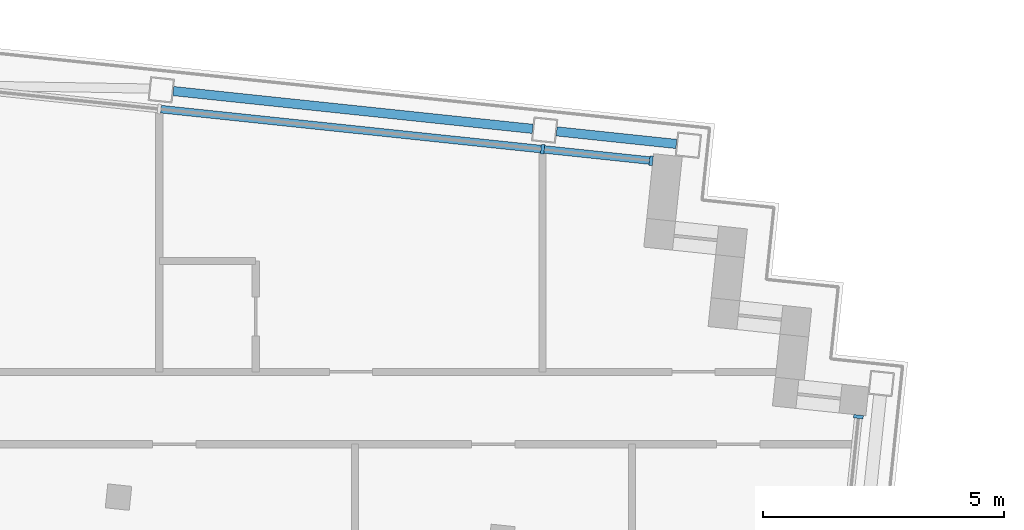
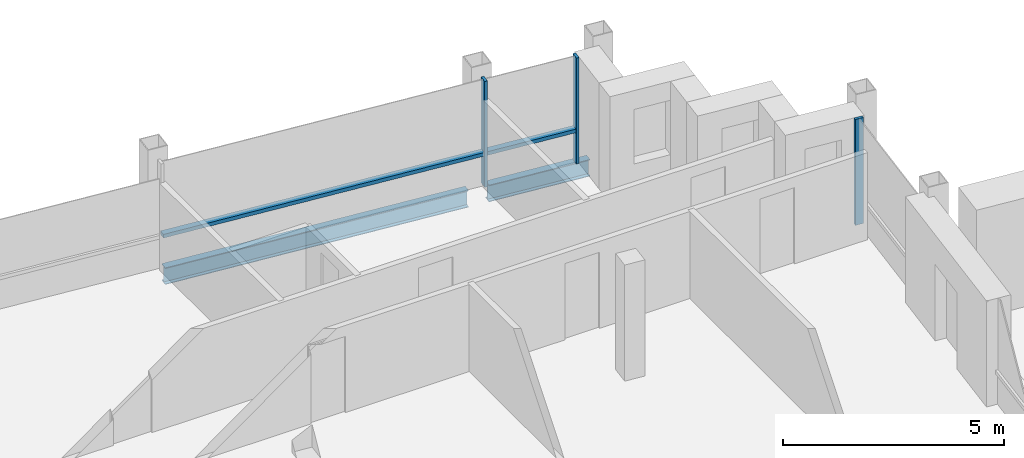
# One storey, part 6 of 17: 5 members, 2 beams, 2 elements without a shape of their own.
"""IFC4 building model written with IfcOpenShell, lengths in metres."""

from ifc_helpers import new_model, si_unit, direction, frame, origin, origin_2d, place, context, subcontext, project, spatial, rectangle, i_section, extrude, material, material_profile, profile_set, type_object, element, aggregate, save


model = new_model("IFC4")

# Units and contexts
model_context = context("Model", 3, precision=1e-05, world=origin(), true_north=direction((0.0, 1.0)))
body_context = subcontext(model_context, "Body", "Model", "MODEL_VIEW")
ifc_project = project(units=[si_unit("LENGTHUNIT", "METRE"), si_unit("AREAUNIT", "SQUARE_METRE"), si_unit("VOLUMEUNIT", "CUBIC_METRE"), si_unit("PLANEANGLEUNIT", "RADIAN"), si_unit("MASSUNIT", "GRAM", prefix="KILO")], contexts=[model_context])

# Site, building, storey
site_placement = place(None, origin())
site = spatial("IfcSite", under=ifc_project, at=site_placement, CompositionType="ELEMENT")
building_placement = place(site_placement, origin())
building = spatial("IfcBuilding", under=site, at=building_placement, Name="Vidyagriha Tower", CompositionType="ELEMENT")
storey_placement = place(building_placement, frame((0.0, 0.0, 265.89990234375)))
storey = spatial("IfcBuildingStorey", under=building, at=storey_placement, Name="L69", CompositionType="ELEMENT", Elevation=265.89990234375)

# Beams
ifc_material_1 = material(Name="Steel ASTM A992 Grade 50", Category="steel")
ifc_material_profile_1 = material_profile(ifc_material_1, i_section(OverallWidth=0.19189453125, OverallDepth=0.46240234375, WebThickness=0.010498046875, FlangeThickness=0.017578125, at=origin_2d()), Name="W18X60")
ifc_profile_set_1 = profile_set([ifc_material_profile_1], Name="Steel ASTM A992 Grade 50")
beam_type = type_object("IfcBeamType", Name="Edge beam W18X60", PredefinedType="SPANDREL", material=ifc_profile_set_1)
beam_1_placement = place(storey_placement, frame((18.130615234375, 19.472412109375, -0.510986328125), z_axis=(0.994519000353, -0.104556003834, 0.0), x_axis=(0.104556003834, 0.994519000353, 0.0)))
element("IfcBeam", 1, at=beam_1_placement, inside=storey, type_object=beam_type, Name="st-beam-L69-NE19", PredefinedType="SPANDREL", context=body_context, shape_type="SweptSolid", body=[
    extrude(i_section(OverallWidth=0.19189453125, OverallDepth=0.46240234375, WebThickness=0.010498046875, FlangeThickness=0.017578125, at=origin_2d()), origin(), (0.0, 0.0, 1.0), 7.5),
])
beam_2_placement = place(storey_placement, frame((26.0869140625, 18.635986328125, -0.510986328125), z_axis=(0.994524701544, -0.104501760842, 0.0), x_axis=(0.104501760842, 0.994524701544, 0.0)))
element("IfcBeam", 2, at=beam_2_placement, inside=storey, type_object=beam_type, Name="st-beam-L69-NE20", PredefinedType="SPANDREL", context=body_context, shape_type="SweptSolid", body=[
    extrude(i_section(OverallWidth=0.19189453125, OverallDepth=0.46240234375, WebThickness=0.010498046875, FlangeThickness=0.017578125, at=origin_2d()), origin(), (0.0, 0.0, 1.0), 2.499755859375),
])

# Curtain wall, members
ifc_material_2 = material(Name="Aluminium and glass curtain wall", Category="aluminium")
curtain_wall_type = type_object("IfcCurtainWallType", Name="Dwelling skin unitised curtain wall", PredefinedType="USERDEFINED", material=ifc_material_2)
curtain_wall_1_placement = place(storey_placement, origin())
curtain_wall_1 = element("IfcCurtainWall", 3, at=curtain_wall_1_placement, inside=storey, type_object=curtain_wall_type, Name="CW1 dwelling skin", ObjectType="UNITISED", PredefinedType="USERDEFINED")
ifc_material_3 = material(Name="Aluminium black anodised", Category="aluminium")
ifc_material_profile_2 = material_profile(ifc_material_3, rectangle(XDim=0.199951171875, YDim=0.070068359375, at=origin_2d()), Name="Mullion 70x200 black aluminium")
ifc_profile_set_2 = profile_set([ifc_material_profile_2], Name="Aluminium black anodised")
member_type_1 = type_object("IfcMemberType", Name="Mullion 70x200 black aluminium", PredefinedType="MULLION", material=ifc_profile_set_2)
member_1_placement = place(storey_placement, frame((28.049072265625, 18.027587890625, 0.0), z_axis=(0.0, 0.0, 1.0), x_axis=(-0.104528852722, -0.994521854435, 0.0)))
member_1 = element("IfcMember", 4, at=member_1_placement, type_object=member_type_1, Name="CW1 mullion 1", PredefinedType="MULLION", context=body_context, shape_type="SweptSolid", body=[
    extrude(rectangle(XDim=0.199951171875, YDim=0.070068359375, at=origin_2d()), origin(), (0.0, 0.0, 1.0), 2.920166015625),
])
member_2_placement = place(storey_placement, frame((25.79638671875, 18.264404296875, 0.0), z_axis=(0.0, 0.0, 1.0), x_axis=(-0.104528852722, -0.994521854435, 0.0)))
member_2 = element("IfcMember", 5, at=member_2_placement, type_object=member_type_1, Name="CW1 mullion 2", PredefinedType="MULLION", context=body_context, shape_type="SweptSolid", body=[
    extrude(rectangle(XDim=0.199951171875, YDim=0.070068359375, at=origin_2d()), origin(), (0.0, 0.0, 1.0), 2.920166015625),
])

# Curtain wall, member
curtain_wall_2_placement = place(storey_placement, origin())
curtain_wall_2 = element("IfcCurtainWall", 6, at=curtain_wall_2_placement, inside=storey, type_object=curtain_wall_type, Name="CW1 dwelling skin", ObjectType="UNITISED", PredefinedType="USERDEFINED")
member_3_placement = place(storey_placement, frame((32.35205078125, 12.713623046875, 0.0), z_axis=(0.0, 0.0, 1.0), x_axis=(-0.994523205451, 0.10451599791, 0.0)))
member_3 = element("IfcMember", 7, at=member_3_placement, type_object=member_type_1, Name="CW1 mullion 2", PredefinedType="MULLION", context=body_context, shape_type="SweptSolid", body=[
    extrude(rectangle(XDim=0.199951171875, YDim=0.070068359375, at=origin_2d()), origin(), (0.0, 0.0, 1.0), 2.920166015625),
])
aggregate(curtain_wall_2, [member_3])

# Member
ifc_material_4 = material(Name="Aluminium black anodised", Category="aluminium")
ifc_material_profile_3 = material_profile(ifc_material_4, rectangle(XDim=0.159912109375, YDim=0.10009765625, at=origin_2d()), Name="Transom 100x160 black aluminium")
ifc_profile_set_3 = profile_set([ifc_material_profile_3], Name="Aluminium black anodised")
member_type_2 = type_object("IfcMemberType", Name="Transom 100x160 black aluminium", PredefinedType="USERDEFINED", material=ifc_profile_set_3)
member_4_placement = place(storey_placement, frame((28.01416015625, 18.03125, 0.900146484375), z_axis=(-0.994518853465, 0.104557400991, 0.0), x_axis=(-0.104557400991, -0.994518853465, 0.0)))
member_4 = element("IfcMember", 8, at=member_4_placement, type_object=member_type_2, Name="CW1 transom 1.1", ObjectType="TRANSOM", PredefinedType="USERDEFINED", context=body_context, shape_type="SweptSolid", body=[
    extrude(rectangle(XDim=0.159912109375, YDim=0.10009765625, at=origin_2d()), origin(), (0.0, 0.0, 1.0), 2.19482421875),
])

member_5_placement = place(storey_placement, frame((25.761474609375, 18.26806640625, 0.900146484375), z_axis=(-0.994522478205, 0.104522917794, 0.0), x_axis=(-0.104522917794, -0.994522478205, 0.0)))
member_5 = element("IfcMember", 9, at=member_5_placement, type_object=member_type_2, Name="CW1 transom 2.1", ObjectType="TRANSOM", PredefinedType="USERDEFINED", context=body_context, shape_type="SweptSolid", body=[
    extrude(rectangle(XDim=0.159912109375, YDim=0.10009765625, at=origin_2d()), origin(), (0.0, 0.0, 1.0), 7.929931640625),
])

aggregate(curtain_wall_1, [member_1, member_2, member_4, member_5])

save(model, "model.ifc")
